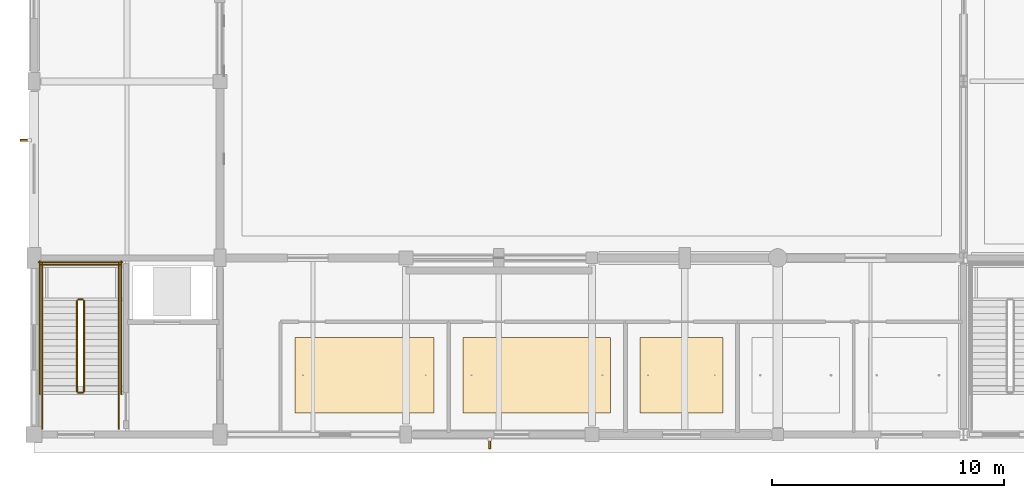
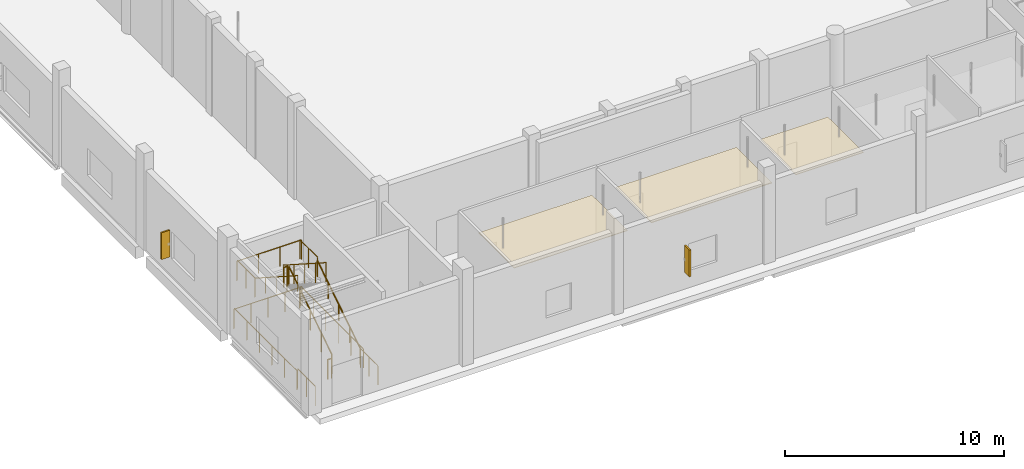
# One storey, part 108 of 126: 14 railings, 3 coverings, 2 shading devices.
"""IFC4 building model written with IfcOpenShell, lengths in metres."""

from ifc_helpers import new_model, si_unit, direction, frame, origin, origin_2d, place, context, subcontext, project, spatial, polyline, rectangle, circle, outline, extrude, material, layer, layer_set, type_object, element, save


model = new_model("IFC4")

# Units and contexts
model_context = context("Model", 3, precision=1e-05, world=origin(), true_north=direction((0.0, 1.0)))
body_context = subcontext(model_context, "Body", "Model", "MODEL_VIEW")
ifc_project = project(units=[si_unit("LENGTHUNIT", "METRE"), si_unit("AREAUNIT", "SQUARE_METRE"), si_unit("VOLUMEUNIT", "CUBIC_METRE"), si_unit("PLANEANGLEUNIT", "RADIAN"), si_unit("MASSUNIT", "GRAM", prefix="KILO")], contexts=[model_context])

# Site, building, storey
site_placement = place(None, origin())
site = spatial("IfcSite", under=ifc_project, at=site_placement, CompositionType="ELEMENT")
building_placement = place(site_placement, origin())
building = spatial("IfcBuilding", under=site, at=building_placement, Name="Khelvaren Railside Concert Hall", CompositionType="ELEMENT")
storey_placement = place(building_placement, origin())
storey = spatial("IfcBuildingStorey", under=building, at=storey_placement, Name="L00", CompositionType="ELEMENT", Elevation=0.0)

# Coverings
ifc_material_1 = material(Name="Mineral-wool acoustic baffle ceiling", Category="gypsum")
ifc_layer_1 = layer(ifc_material_1, 0.0400390625)
ifc_layer_set_1 = layer_set([ifc_layer_1], Name="Mineral-wool acoustic baffle ceiling")
covering_type_1 = type_object("IfcCoveringType", Name="CLG20", PredefinedType="CEILING", material=ifc_layer_set_1)
covering_1_placement = place(storey_placement, frame((0.0, 0.0, 3.409912109375)))
element("IfcCovering", 1, at=covering_1_placement, inside=storey, type_object=covering_type_1, Name="Suspended Acoustic Ceiling Stalls Espresso and Interval Bar", PredefinedType="CEILING", context=body_context, shape_type="SweptSolid", body=[
    extrude(outline(polyline([(18.467041015625, 0.929931640625), (24.81494140625, 0.929931640625), (24.81494140625, 4.169921875), (18.467041015625, 4.169921875), (18.467041015625, 0.929931640625)])), origin(), (0.0, 0.0, 1.0), 0.0400390625),
])
ifc_material_2 = material(Name="Micro-perforated timber acoustic ceiling", Category="wood")
ifc_layer_2 = layer(ifc_material_2, 0.030029296875)
ifc_layer_set_2 = layer_set([ifc_layer_2], Name="Micro-perforated timber acoustic ceiling")
covering_type_2 = type_object("IfcCoveringType", Name="CLG77", PredefinedType="CEILING", material=ifc_layer_set_2)
covering_2_placement = place(storey_placement, frame((0.0, 0.0, 3.419921875)))
element("IfcCovering", 2, at=covering_2_placement, inside=storey, type_object=covering_type_2, Name="Suspended Acoustic Ceiling Audience Cloakroom West", PredefinedType="CEILING", context=body_context, shape_type="SweptSolid", body=[
    extrude(outline(polyline([(11.22998046875, 0.929931640625), (17.20703125, 0.929931640625), (17.20703125, 4.169921875), (11.22998046875, 4.169921875), (11.22998046875, 0.929931640625)])), origin(), (0.0, 0.0, 1.0), 0.030029296875),
])
covering_3_placement = place(storey_placement, frame((0.0, 0.0, 3.419921875)))
element("IfcCovering", 3, at=covering_3_placement, inside=storey, type_object=covering_type_2, Name="Suspended Acoustic Ceiling Stalls Public Male WC", PredefinedType="CEILING", context=body_context, shape_type="SweptSolid", body=[
    extrude(outline(polyline([(26.074951171875, 0.929931640625), (29.639892578125, 0.929931640625), (29.639892578125, 4.169921875), (26.074951171875, 4.169921875), (26.074951171875, 0.929931640625)])), origin(), (0.0, 0.0, 1.0), 0.030029296875),
])

# Railings
ifc_material_3 = material(Name="Painted architectural steel", Category="steel")
railing_type_1 = type_object("IfcRailingType", Name="GRD86", PredefinedType="GUARDRAIL", material=ifc_material_3)
railing_1_placement = place(storey_placement, frame((2.14990234375, 1.840087890625, 0.179931640625)))
element("IfcRailing", 4, at=railing_1_placement, inside=storey, type_object=railing_type_1, Name="L00 ST-01 stair guard 1", PredefinedType="GUARDRAIL", context=body_context, shape_type="SweptSolid", body=[
    extrude(circle(Radius=0.02392578125, at=origin_2d()), frame((0.0, 0.0, 1.076171875), z_axis=(0.0, 0.841171666519, 0.540768182723), x_axis=(-1.0, 0.0, 0.0)), (0.0, 0.0, 1.0), 4.66015625),
    extrude(circle(Radius=0.02099609375, at=origin_2d()), origin(), (0.0, 0.0, 1.0), 1.052001953125),
    extrude(circle(Radius=0.02099609375, at=origin_2d()), frame((0.0, 0.97998046875, 0.6298828125)), (0.0, 0.0, 1.0), 1.052001953125),
    extrude(circle(Radius=0.02099609375, at=origin_2d()), frame((0.0, 1.9599609375, 1.260009765625)), (0.0, 0.0, 1.0), 1.052001953125),
    extrude(circle(Radius=0.02099609375, at=origin_2d()), frame((0.0, 2.93994140625, 1.89013671875)), (0.0, 0.0, 1.0), 1.052001953125),
    extrude(circle(Radius=0.02099609375, at=origin_2d()), frame((0.0, 3.919921875, 2.52001953125)), (0.0, 0.0, 1.0), 1.052001953125),
])
railing_2_placement = place(storey_placement, frame((2.10009765625, 5.81005859375, 2.699951171875)))
element("IfcRailing", 5, at=railing_2_placement, inside=storey, type_object=railing_type_1, Name="L00 ST-01 stair guard 2", PredefinedType="GUARDRAIL", context=body_context, shape_type="SweptSolid", body=[
    extrude(circle(Radius=0.02392578125, at=origin_2d()), frame((0.0, 0.0, 1.076171875), z_axis=(-1.0, 0.0, 0.0), x_axis=(0.0, -1.0, 0.0)), (0.0, 0.0, 1.0), 0.2001953125),
    extrude(circle(Radius=0.02099609375, at=origin_2d()), origin(), (0.0, 0.0, 1.0), 1.052001953125),
    extrude(circle(Radius=0.02099609375, at=origin_2d()), frame((-0.2001953125, 0.0, 0.0)), (0.0, 0.0, 1.0), 1.052001953125),
])
for number, where, name in (
    (6, (3.64990234375, 5.760009765625, 2.699951171875), "L00 ST-01 stair guard 3"),
    (7, (0.35009765625, 5.760009765625, 2.699951171875), "L00 ST-01 stair guard 4"),
):
    element("IfcRailing", number, at=place(storey_placement, frame(where)), inside=storey, type_object=railing_type_1, Name=name, PredefinedType="GUARDRAIL", context=body_context, shape_type="SweptSolid", body=[
        extrude(circle(Radius=0.02392578125, at=origin_2d()), frame((0.0, 0.0, 1.076171875), z_axis=(0.0, 1.0, 0.0), x_axis=(-1.0, 0.0, 0.0)), (0.0, 0.0, 1.0), 1.60009765625),
        extrude(circle(Radius=0.02099609375, at=origin_2d()), origin(), (0.0, 0.0, 1.0), 1.052001953125),
        extrude(circle(Radius=0.02099609375, at=origin_2d()), frame((0.0, 0.800048828125, 0.0)), (0.0, 0.0, 1.0), 1.052001953125),
        extrude(circle(Radius=0.02099609375, at=origin_2d()), frame((0.0, 1.60009765625, 0.0)), (0.0, 0.0, 1.0), 1.052001953125),
    ])
railing_3_placement = place(storey_placement, frame((3.699951171875, 7.31005859375, 2.699951171875)))
element("IfcRailing", 8, at=railing_3_placement, inside=storey, type_object=railing_type_1, Name="L00 ST-01 stair guard 5", PredefinedType="GUARDRAIL", context=body_context, shape_type="SweptSolid", body=[
    extrude(circle(Radius=0.02392578125, at=origin_2d()), frame((0.0, 0.0, 1.076171875), z_axis=(-1.0, 0.0, 0.0), x_axis=(0.0, -1.0, 0.0)), (0.0, 0.0, 1.0), 3.39990234375),
    extrude(circle(Radius=0.02099609375, at=origin_2d()), origin(), (0.0, 0.0, 1.0), 1.052001953125),
    extrude(circle(Radius=0.02099609375, at=origin_2d()), frame((-1.13330078125, 0.0, 0.0)), (0.0, 0.0, 1.0), 1.052001953125),
    extrude(circle(Radius=0.02099609375, at=origin_2d()), frame((-2.2666015625, 0.0, 0.0)), (0.0, 0.0, 1.0), 1.052001953125),
    extrude(circle(Radius=0.02099609375, at=origin_2d()), frame((-3.39990234375, 0.0, 0.0)), (0.0, 0.0, 1.0), 1.052001953125),
])
railing_4_placement = place(storey_placement, frame((1.85009765625, 5.760009765625, 2.8798828125)))
element("IfcRailing", 9, at=railing_4_placement, inside=storey, type_object=railing_type_1, Name="L00 ST-01 stair guard 6", PredefinedType="GUARDRAIL", context=body_context, shape_type="SweptSolid", body=[
    extrude(circle(Radius=0.02392578125, at=origin_2d()), frame((0.0, 0.0, 1.076171875), z_axis=(0.0, -0.841171666519, 0.540768182723), x_axis=(1.0, 0.0, 0.0)), (0.0, 0.0, 1.0), 4.66015625),
    extrude(circle(Radius=0.02099609375, at=origin_2d()), origin(), (0.0, 0.0, 1.0), 1.052001953125),
    extrude(circle(Radius=0.02099609375, at=origin_2d()), frame((0.0, -0.97998046875, 0.6298828125)), (0.0, 0.0, 1.0), 1.052001953125),
    extrude(circle(Radius=0.02099609375, at=origin_2d()), frame((0.0, -1.9599609375, 1.260009765625)), (0.0, 0.0, 1.0), 1.052001953125),
    extrude(circle(Radius=0.02099609375, at=origin_2d()), frame((0.0, -2.93994140625, 1.89013671875)), (0.0, 0.0, 1.0), 1.052001953125),
    extrude(circle(Radius=0.02099609375, at=origin_2d()), frame((0.0, -3.919921875, 2.52001953125)), (0.0, 0.0, 1.0), 1.052001953125),
])
railing_5_placement = place(storey_placement, frame((2.10009765625, 1.7900390625, 0.0)))
element("IfcRailing", 10, at=railing_5_placement, inside=storey, type_object=railing_type_1, Name="L00 ST-01 stair guard 7", PredefinedType="GUARDRAIL", context=body_context, shape_type="SweptSolid", body=[
    extrude(circle(Radius=0.02392578125, at=origin_2d()), frame((0.0, 0.0, 1.076171875), z_axis=(-1.0, 0.0, 0.0), x_axis=(0.0, -1.0, 0.0)), (0.0, 0.0, 1.0), 0.2001953125),
    extrude(circle(Radius=0.02099609375, at=origin_2d()), origin(), (0.0, 0.0, 1.0), 1.052001953125),
    extrude(circle(Radius=0.02099609375, at=origin_2d()), frame((-0.2001953125, 0.0, 0.0)), (0.0, 0.0, 1.0), 1.052001953125),
])
for number, where, name in (
    (11, (3.64990234375, 0.239990234375, 0.0), "L00 ST-01 stair guard 8"),
    (12, (0.35009765625, 0.239990234375, 0.0), "L00 ST-01 stair guard 9"),
):
    element("IfcRailing", number, at=place(storey_placement, frame(where)), inside=storey, type_object=railing_type_1, Name=name, PredefinedType="GUARDRAIL", context=body_context, shape_type="SweptSolid", body=[
        extrude(circle(Radius=0.02392578125, at=origin_2d()), frame((0.0, 0.0, 1.076171875), z_axis=(0.0, 1.0, 0.0), x_axis=(-1.0, 0.0, 0.0)), (0.0, 0.0, 1.0), 1.60009765625),
        extrude(circle(Radius=0.02099609375, at=origin_2d()), origin(), (0.0, 0.0, 1.0), 1.052001953125),
        extrude(circle(Radius=0.02099609375, at=origin_2d()), frame((0.0, 0.800048828125, 0.0)), (0.0, 0.0, 1.0), 1.052001953125),
        extrude(circle(Radius=0.02099609375, at=origin_2d()), frame((0.0, 1.60009765625, 0.0)), (0.0, 0.0, 1.0), 1.052001953125),
    ])
for number, where, name in (
    (13, (3.75, 1.739990234375, 0.0), "L00 ST-01 stair guard 10"),
    (14, (0.25, 1.739990234375, 0.0), "L00 ST-01 stair guard 11"),
):
    element("IfcRailing", number, at=place(storey_placement, frame(where)), inside=storey, type_object=railing_type_1, Name=name, PredefinedType="GUARDRAIL", context=body_context, shape_type="SweptSolid", body=[
        extrude(circle(Radius=0.02392578125, at=origin_2d()), frame((0.0, 0.0, 1.076171875), z_axis=(0.0, 1.0, 0.0), x_axis=(-1.0, 0.0, 0.0)), (0.0, 0.0, 1.0), 5.719970703125),
        extrude(circle(Radius=0.02099609375, at=origin_2d()), origin(), (0.0, 0.0, 1.0), 1.052001953125),
        extrude(circle(Radius=0.02099609375, at=origin_2d()), frame((0.0, 1.14404296875, 0.0)), (0.0, 0.0, 1.0), 1.052001953125),
        extrude(circle(Radius=0.02099609375, at=origin_2d()), frame((0.0, 2.2880859375, 0.0)), (0.0, 0.0, 1.0), 1.052001953125),
        extrude(circle(Radius=0.02099609375, at=origin_2d()), frame((0.0, 3.431884765625, 0.0)), (0.0, 0.0, 1.0), 1.052001953125),
        extrude(circle(Radius=0.02099609375, at=origin_2d()), frame((0.0, 4.575927734375, 0.0)), (0.0, 0.0, 1.0), 1.052001953125),
        extrude(circle(Radius=0.02099609375, at=origin_2d()), frame((0.0, 5.719970703125, 0.0)), (0.0, 0.0, 1.0), 1.052001953125),
    ])
railing_6_placement = place(storey_placement, frame((3.800048828125, 7.409912109375, 0.0)))
element("IfcRailing", 15, at=railing_6_placement, inside=storey, type_object=railing_type_1, Name="L00 ST-01 stair guard 12", PredefinedType="GUARDRAIL", context=body_context, shape_type="SweptSolid", body=[
    extrude(circle(Radius=0.02392578125, at=origin_2d()), frame((0.0, 0.0, 1.076171875), z_axis=(-1.0, 0.0, 0.0), x_axis=(0.0, -1.0, 0.0)), (0.0, 0.0, 1.0), 3.60009765625),
    extrude(circle(Radius=0.02099609375, at=origin_2d()), origin(), (0.0, 0.0, 1.0), 1.052001953125),
    extrude(circle(Radius=0.02099609375, at=origin_2d()), frame((-0.89990234375, 0.0, 0.0)), (0.0, 0.0, 1.0), 1.052001953125),
    extrude(circle(Radius=0.02099609375, at=origin_2d()), frame((-1.800048828125, 0.0, 0.0)), (0.0, 0.0, 1.0), 1.052001953125),
    extrude(circle(Radius=0.02099609375, at=origin_2d()), frame((-2.7001953125, 0.0, 0.0)), (0.0, 0.0, 1.0), 1.052001953125),
    extrude(circle(Radius=0.02099609375, at=origin_2d()), frame((-3.60009765625, 0.0, 0.0)), (0.0, 0.0, 1.0), 1.052001953125),
])
ifc_material_4 = material(Name="Brushed stainless steel Grade 316", Category="steel")
railing_type_2 = type_object("IfcRailingType", Name="HRL59", PredefinedType="HANDRAIL", material=ifc_material_4)
railing_7_placement = place(storey_placement, frame((3.64990234375, 1.840087890625, 0.179931640625)))
element("IfcRailing", 16, at=railing_7_placement, inside=storey, type_object=railing_type_2, Name="L00 ST-01 stair handrail 1", PredefinedType="HANDRAIL", context=body_context, shape_type="SweptSolid", body=[
    extrude(circle(Radius=0.02392578125, at=origin_2d()), frame((0.0, 0.0, 0.8759765625), z_axis=(0.0, 0.841171666519, 0.540768182723), x_axis=(-1.0, 0.0, 0.0)), (0.0, 0.0, 1.0), 4.66015625),
    extrude(circle(Radius=0.02099609375, at=origin_2d()), origin(), (0.0, 0.0, 1.0), 0.851806640625),
    extrude(circle(Radius=0.02099609375, at=origin_2d()), frame((0.0, 0.97998046875, 0.6298828125)), (0.0, 0.0, 1.0), 0.851806640625),
    extrude(circle(Radius=0.02099609375, at=origin_2d()), frame((0.0, 1.9599609375, 1.260009765625)), (0.0, 0.0, 1.0), 0.851806640625),
    extrude(circle(Radius=0.02099609375, at=origin_2d()), frame((0.0, 2.93994140625, 1.89013671875)), (0.0, 0.0, 1.0), 0.851806640625),
    extrude(circle(Radius=0.02099609375, at=origin_2d()), frame((0.0, 3.919921875, 2.52001953125)), (0.0, 0.0, 1.0), 0.851806640625),
])
railing_8_placement = place(storey_placement, frame((0.35009765625, 5.760009765625, 2.8798828125)))
element("IfcRailing", 17, at=railing_8_placement, inside=storey, type_object=railing_type_2, Name="L00 ST-01 stair handrail 2", PredefinedType="HANDRAIL", context=body_context, shape_type="SweptSolid", body=[
    extrude(circle(Radius=0.02392578125, at=origin_2d()), frame((0.0, 0.0, 0.8759765625), z_axis=(0.0, -0.841171666519, 0.540768182723), x_axis=(1.0, 0.0, 0.0)), (0.0, 0.0, 1.0), 4.66015625),
    extrude(circle(Radius=0.02099609375, at=origin_2d()), origin(), (0.0, 0.0, 1.0), 0.851806640625),
    extrude(circle(Radius=0.02099609375, at=origin_2d()), frame((0.0, -0.97998046875, 0.6298828125)), (0.0, 0.0, 1.0), 0.851806640625),
    extrude(circle(Radius=0.02099609375, at=origin_2d()), frame((0.0, -1.9599609375, 1.260009765625)), (0.0, 0.0, 1.0), 0.851806640625),
    extrude(circle(Radius=0.02099609375, at=origin_2d()), frame((0.0, -2.93994140625, 1.89013671875)), (0.0, 0.0, 1.0), 0.851806640625),
    extrude(circle(Radius=0.02099609375, at=origin_2d()), frame((0.0, -3.919921875, 2.52001953125)), (0.0, 0.0, 1.0), 0.851806640625),
])

# Shading devices
ifc_material_5 = material(Name="Anodised bronze aluminium 6063-T6", Category="aluminium")
shading_device_type = type_object("IfcShadingDeviceType", Name="SFN18", PredefinedType="USERDEFINED", material=ifc_material_5)
for number, where, z_axis, x_axis, name in (
    (18, (19.613525390625, -0.3798828125, 0.949951171875), (0.0, 0.0, 1.0), (-1.0, 0.0, 0.0), "Bronze Solar Shading Fin EW-V1-L00-S-16"),
    (19, (-0.3798828125, 12.66748046875, 0.949951171875), (0.0, 0.0, 1.0), (0.0, 1.0, 0.0), "Bronze Solar Shading Fin EW-V1-L00-W-8"),
):
    element("IfcShadingDevice", number, at=place(storey_placement, frame(where, z_axis=z_axis, x_axis=x_axis)), inside=storey, type_object=shading_device_type, Name=name, ObjectType="SOLAR FIN", PredefinedType="USERDEFINED", context=body_context, shape_type="SweptSolid", body=[
        extrude(rectangle(XDim=0.080078125, YDim=0.449951171875, at=origin_2d()), origin(), (0.0, 0.0, 1.0), 1.5),
    ])

save(model, "model.ifc")
